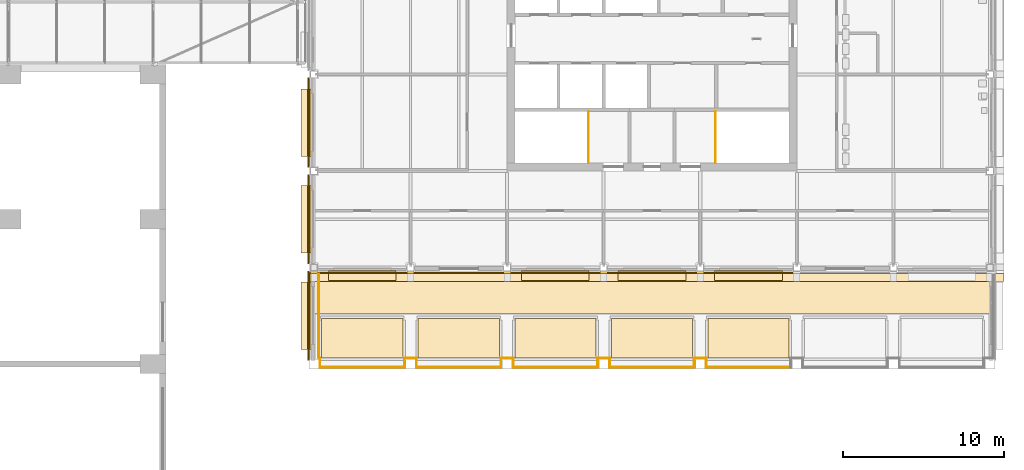
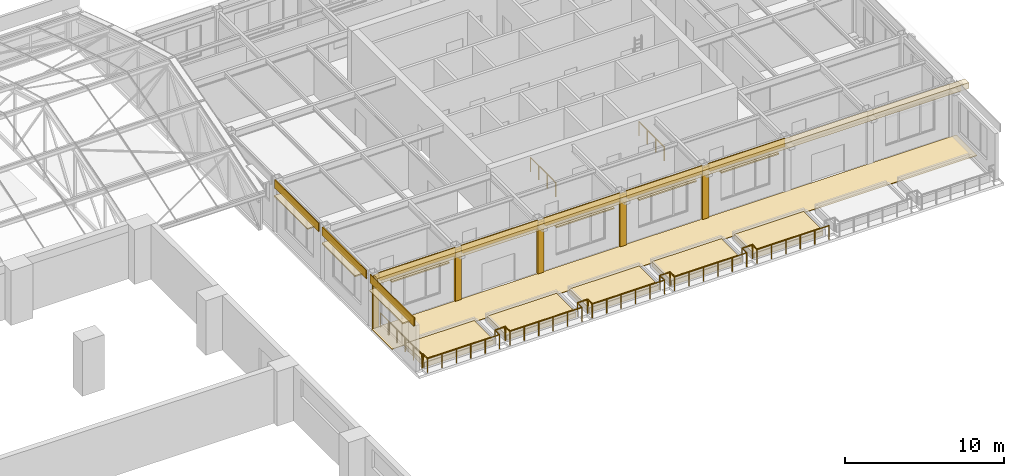
# One storey, part 79 of 82: 27 coverings, 21 railings.
"""IFC4 building model written with IfcOpenShell, lengths in metres."""

from ifc_helpers import new_model, si_unit, direction, frame, origin, origin_2d, place, context, subcontext, project, spatial, polyline, circle, outline, extrude, material, layer, layer_set, type_object, element, save


model = new_model("IFC4")

# Units and contexts
model_context = context("Model", 3, precision=1e-05, world=origin(), true_north=direction((0.0, 1.0)))
body_context = subcontext(model_context, "Body", "Model", "MODEL_VIEW")
ifc_project = project(units=[si_unit("LENGTHUNIT", "METRE"), si_unit("AREAUNIT", "SQUARE_METRE"), si_unit("VOLUMEUNIT", "CUBIC_METRE"), si_unit("PLANEANGLEUNIT", "RADIAN"), si_unit("MASSUNIT", "GRAM", prefix="KILO")], contexts=[model_context])

# Site, building, storey
site_placement = place(None, origin())
site = spatial("IfcSite", under=ifc_project, at=site_placement, CompositionType="ELEMENT")
building_placement = place(site_placement, origin())
building = spatial("IfcBuilding", under=site, at=building_placement, Name="Aravalli Gate Trade Fair Centre", CompositionType="ELEMENT")
storey_placement = place(building_placement, frame((0.0, 0.0, 19.199951171875)))
storey = spatial("IfcBuildingStorey", under=building, at=storey_placement, Name="L04", CompositionType="ELEMENT", Elevation=19.199951171875)

# Coverings
ifc_material_1 = material(Name="Terracotta", Category="masonry")
ifc_layer_1 = layer(ifc_material_1, 0.10009765625)
ifc_layer_set_1 = layer_set([ifc_layer_1], Name="Terracotta")
covering_type_1 = type_object("IfcCoveringType", Name="Wing chhajja hood 100", PredefinedType="MOLDING", material=ifc_layer_set_1)
covering_1_placement = place(storey_placement, frame((0.0, 0.0, 3.449951171875)))
element("IfcCovering", 1, at=covering_1_placement, inside=storey, type_object=covering_type_1, Name="Chhajja hood S0 L04", PredefinedType="MOLDING", context=body_context, shape_type="SweptSolid", body=[
    extrude(outline(polyline([(160.89990234375, 96.199951171875), (165.10009765625, 96.199951171875), (165.10009765625, 96.800048828125), (160.89990234375, 96.800048828125), (160.89990234375, 96.199951171875)])), origin(), (0.0, 0.0, 1.0), 0.10009765625),
])
covering_2_placement = place(storey_placement, frame((0.0, 0.0, 3.449951171875)))
element("IfcCovering", 2, at=covering_2_placement, inside=storey, type_object=covering_type_1, Name="Chhajja hood S2 L04", PredefinedType="MOLDING", context=body_context, shape_type="SweptSolid", body=[
    extrude(outline(polyline([(172.89990234375, 96.199951171875), (177.10009765625, 96.199951171875), (177.10009765625, 96.800048828125), (172.89990234375, 96.800048828125), (172.89990234375, 96.199951171875)])), origin(), (0.0, 0.0, 1.0), 0.10009765625),
])
covering_3_placement = place(storey_placement, frame((0.0, 0.0, 3.449951171875)))
element("IfcCovering", 3, at=covering_3_placement, inside=storey, type_object=covering_type_1, Name="Chhajja hood S3 L04", PredefinedType="MOLDING", context=body_context, shape_type="SweptSolid", body=[
    extrude(outline(polyline([(178.89990234375, 96.199951171875), (183.10009765625, 96.199951171875), (183.10009765625, 96.800048828125), (178.89990234375, 96.800048828125), (178.89990234375, 96.199951171875)])), origin(), (0.0, 0.0, 1.0), 0.10009765625),
])
covering_4_placement = place(storey_placement, frame((0.0, 0.0, 3.449951171875)))
element("IfcCovering", 4, at=covering_4_placement, inside=storey, type_object=covering_type_1, Name="Chhajja hood S4 L04", PredefinedType="MOLDING", context=body_context, shape_type="SweptSolid", body=[
    extrude(outline(polyline([(184.89990234375, 96.199951171875), (189.10009765625, 96.199951171875), (189.10009765625, 96.800048828125), (184.89990234375, 96.800048828125), (184.89990234375, 96.199951171875)])), origin(), (0.0, 0.0, 1.0), 0.10009765625),
])
covering_5_placement = place(storey_placement, frame((0.0, 0.0, 3.449951171875)))
element("IfcCovering", 5, at=covering_5_placement, inside=storey, type_object=covering_type_1, Name="Chhajja hood W0 L04", PredefinedType="MOLDING", context=body_context, shape_type="SweptSolid", body=[
    extrude(outline(polyline([(159.199951171875, 91.89990234375), (159.800048828125, 91.89990234375), (159.800048828125, 96.10009765625), (159.199951171875, 96.10009765625), (159.199951171875, 91.89990234375)])), origin(), (0.0, 0.0, 1.0), 0.10009765625),
])
covering_6_placement = place(storey_placement, frame((0.0, 0.0, 3.449951171875)))
element("IfcCovering", 6, at=covering_6_placement, inside=storey, type_object=covering_type_1, Name="Chhajja hood W1 L04", PredefinedType="MOLDING", context=body_context, shape_type="SweptSolid", body=[
    extrude(outline(polyline([(159.199951171875, 97.89990234375), (159.800048828125, 97.89990234375), (159.800048828125, 102.10009765625), (159.199951171875, 102.10009765625), (159.199951171875, 97.89990234375)])), origin(), (0.0, 0.0, 1.0), 0.10009765625),
])
covering_7_placement = place(storey_placement, frame((0.0, 0.0, 3.449951171875)))
element("IfcCovering", 7, at=covering_7_placement, inside=storey, type_object=covering_type_1, Name="Chhajja hood W2 L04", PredefinedType="MOLDING", context=body_context, shape_type="SweptSolid", body=[
    extrude(outline(polyline([(159.199951171875, 103.89990234375), (159.800048828125, 103.89990234375), (159.800048828125, 108.10009765625), (159.199951171875, 108.10009765625), (159.199951171875, 103.89990234375)])), origin(), (0.0, 0.0, 1.0), 0.10009765625),
])
ifc_material_2 = material(Name="Enamelled terracotta", Category="masonry")
ifc_layer_2 = layer(ifc_material_2, 0.39990234375)
ifc_layer_set_2 = layer_set([ifc_layer_2], Name="Enamelled terracotta")
covering_type_2 = type_object("IfcCoveringType", Name="Wing cornice course A", PredefinedType="MOLDING", material=ifc_layer_set_2)
covering_8_placement = place(storey_placement, frame((0.0, 0.0, 3.75)))
element("IfcCovering", 8, at=covering_8_placement, inside=storey, type_object=covering_type_2, Name="Cornice course A S", PredefinedType="MOLDING", context=body_context, shape_type="SweptSolid", body=[
    extrude(outline(polyline([(159.800048828125, 96.125), (202.875, 96.125), (202.875, 96.625), (159.800048828125, 96.625), (159.800048828125, 96.125)])), origin(), (0.0, 0.0, 1.0), 0.449951171875),
])
ifc_material_3 = material(Name="Bituminous waterproofing membrane")
ifc_layer_3 = layer(ifc_material_3, 0.010009765625, Name="Waterproofing membrane")
ifc_material_4 = material(Name="Polyethylene drainage board")
ifc_layer_4 = layer(ifc_material_4, 0.050048828125, Name="Drainage layer")
ifc_material_5 = material(Name="Geotextile fleece")
ifc_layer_5 = layer(ifc_material_5, 0.0048828125, Name="Filter layer")
ifc_material_6 = material(Name="Growing medium")
ifc_layer_6 = layer(ifc_material_6, 0.300048828125, Name="Growing medium")
ifc_layer_set_3 = layer_set([ifc_layer_3, ifc_layer_4, ifc_layer_5, ifc_layer_6], Name="Wing green roof build-up 365")
covering_type_3 = type_object("IfcCoveringType", Name="Wing green roof build-up 365", PredefinedType="ROOFING", material=ifc_layer_set_3)
covering_9_placement = place(storey_placement, origin())
element("IfcCovering", 9, at=covering_9_placement, inside=storey, type_object=covering_type_3, Name="Roof garden bed L04 1", PredefinedType="ROOFING", context=body_context, shape_type="SweptSolid", body=[
    extrude(outline(polyline([(160.47509765625, 91.3701171875), (165.52490234375, 91.3701171875), (165.52490234375, 93.820068359375), (160.47509765625, 93.820068359375), (160.47509765625, 91.3701171875)])), origin(), (0.0, 0.0, 1.0), 0.364990234375),
])
covering_10_placement = place(storey_placement, origin())
element("IfcCovering", 10, at=covering_10_placement, inside=storey, type_object=covering_type_3, Name="Roof garden bed L04 2", PredefinedType="ROOFING", context=body_context, shape_type="SweptSolid", body=[
    extrude(outline(polyline([(166.47509765625, 91.3701171875), (171.52490234375, 91.3701171875), (171.52490234375, 93.820068359375), (166.47509765625, 93.820068359375), (166.47509765625, 91.3701171875)])), origin(), (0.0, 0.0, 1.0), 0.364990234375),
])
covering_11_placement = place(storey_placement, origin())
element("IfcCovering", 11, at=covering_11_placement, inside=storey, type_object=covering_type_3, Name="Roof garden bed L04 3", PredefinedType="ROOFING", context=body_context, shape_type="SweptSolid", body=[
    extrude(outline(polyline([(172.47509765625, 91.3701171875), (177.52490234375, 91.3701171875), (177.52490234375, 93.820068359375), (172.47509765625, 93.820068359375), (172.47509765625, 91.3701171875)])), origin(), (0.0, 0.0, 1.0), 0.364990234375),
])
covering_12_placement = place(storey_placement, origin())
element("IfcCovering", 12, at=covering_12_placement, inside=storey, type_object=covering_type_3, Name="Roof garden bed L04 4", PredefinedType="ROOFING", context=body_context, shape_type="SweptSolid", body=[
    extrude(outline(polyline([(178.47509765625, 91.3701171875), (183.52490234375, 91.3701171875), (183.52490234375, 93.820068359375), (178.47509765625, 93.820068359375), (178.47509765625, 91.3701171875)])), origin(), (0.0, 0.0, 1.0), 0.364990234375),
])
covering_13_placement = place(storey_placement, origin())
element("IfcCovering", 13, at=covering_13_placement, inside=storey, type_object=covering_type_3, Name="Roof garden bed L04 5", PredefinedType="ROOFING", context=body_context, shape_type="SweptSolid", body=[
    extrude(outline(polyline([(184.47509765625, 91.3701171875), (189.52490234375, 91.3701171875), (189.52490234375, 93.820068359375), (184.47509765625, 93.820068359375), (184.47509765625, 91.3701171875)])), origin(), (0.0, 0.0, 1.0), 0.364990234375),
])
ifc_material_7 = material(Name="Terracotta lattice", Category="masonry")
ifc_layer_7 = layer(ifc_material_7, 0.070068359375)
ifc_layer_set_4 = layer_set([ifc_layer_7], Name="Terracotta lattice")
covering_type_4 = type_object("IfcCoveringType", Name="Wing jali spandrel panel 70", PredefinedType="CLADDING", material=ifc_layer_set_4)
covering_14_placement = place(storey_placement, frame((0.0, 0.0, 3.550048828125)))
element("IfcCovering", 14, at=covering_14_placement, inside=storey, type_object=covering_type_4, Name="Jali spandrel panel S0 L04", PredefinedType="CLADDING", context=body_context, shape_type="SweptSolid", body=[
    extrude(outline(polyline([(160.22509765625, 96.625), (165.77490234375, 96.625), (165.77490234375, 96.695068359375), (160.22509765625, 96.695068359375), (160.22509765625, 96.625)])), origin(), (0.0, 0.0, 1.0), 0.64990234375),
])
covering_15_placement = place(storey_placement, frame((0.0, 0.0, 3.550048828125)))
element("IfcCovering", 15, at=covering_15_placement, inside=storey, type_object=covering_type_4, Name="Jali spandrel panel S1 L04", PredefinedType="CLADDING", context=body_context, shape_type="SweptSolid", body=[
    extrude(outline(polyline([(166.22509765625, 96.625), (171.77490234375, 96.625), (171.77490234375, 96.695068359375), (166.22509765625, 96.695068359375), (166.22509765625, 96.625)])), origin(), (0.0, 0.0, 1.0), 0.64990234375),
])
covering_16_placement = place(storey_placement, frame((0.0, 0.0, 3.550048828125)))
element("IfcCovering", 16, at=covering_16_placement, inside=storey, type_object=covering_type_4, Name="Jali spandrel panel S2 L04", PredefinedType="CLADDING", context=body_context, shape_type="SweptSolid", body=[
    extrude(outline(polyline([(172.22509765625, 96.625), (177.77490234375, 96.625), (177.77490234375, 96.695068359375), (172.22509765625, 96.695068359375), (172.22509765625, 96.625)])), origin(), (0.0, 0.0, 1.0), 0.64990234375),
])
covering_17_placement = place(storey_placement, frame((0.0, 0.0, 3.550048828125)))
element("IfcCovering", 17, at=covering_17_placement, inside=storey, type_object=covering_type_4, Name="Jali spandrel panel S3 L04", PredefinedType="CLADDING", context=body_context, shape_type="SweptSolid", body=[
    extrude(outline(polyline([(178.22509765625, 96.625), (183.77490234375, 96.625), (183.77490234375, 96.695068359375), (178.22509765625, 96.695068359375), (178.22509765625, 96.625)])), origin(), (0.0, 0.0, 1.0), 0.64990234375),
])
covering_18_placement = place(storey_placement, frame((0.0, 0.0, 3.550048828125)))
element("IfcCovering", 18, at=covering_18_placement, inside=storey, type_object=covering_type_4, Name="Jali spandrel panel S4 L04", PredefinedType="CLADDING", context=body_context, shape_type="SweptSolid", body=[
    extrude(outline(polyline([(184.22509765625, 96.625), (189.77490234375, 96.625), (189.77490234375, 96.695068359375), (184.22509765625, 96.695068359375), (184.22509765625, 96.625)])), origin(), (0.0, 0.0, 1.0), 0.64990234375),
])
ifc_material_8 = material(Name="Glazed terracotta", Category="masonry")
ifc_layer_8 = layer(ifc_material_8, 0.14990234375)
ifc_layer_set_5 = layer_set([ifc_layer_8], Name="Glazed terracotta")
covering_type_5 = type_object("IfcCoveringType", Name="Wing pier casing 150", PredefinedType="CLADDING", material=ifc_layer_set_5)
covering_19_placement = place(storey_placement, origin())
element("IfcCovering", 19, at=covering_19_placement, inside=storey, type_object=covering_type_5, Name="Pier casing 18T1 S L04", PredefinedType="CLADDING", context=body_context, shape_type="SweptSolid", body=[
    extrude(outline(polyline([(159.77490234375, 96.625), (160.22509765625, 96.625), (160.22509765625, 96.77490234375), (159.77490234375, 96.77490234375), (159.77490234375, 96.625)])), origin(), (0.0, 0.0, 1.0), 4.0),
])
covering_20_placement = place(storey_placement, origin())
element("IfcCovering", 20, at=covering_20_placement, inside=storey, type_object=covering_type_5, Name="Pier casing 19T1 S L04", PredefinedType="CLADDING", context=body_context, shape_type="SweptSolid", body=[
    extrude(outline(polyline([(165.77490234375, 96.625), (166.22509765625, 96.625), (166.22509765625, 96.77490234375), (165.77490234375, 96.77490234375), (165.77490234375, 96.625)])), origin(), (0.0, 0.0, 1.0), 4.0),
])
covering_21_placement = place(storey_placement, origin())
element("IfcCovering", 21, at=covering_21_placement, inside=storey, type_object=covering_type_5, Name="Pier casing 20T1 S L04", PredefinedType="CLADDING", context=body_context, shape_type="SweptSolid", body=[
    extrude(outline(polyline([(171.77490234375, 96.625), (172.22509765625, 96.625), (172.22509765625, 96.77490234375), (171.77490234375, 96.77490234375), (171.77490234375, 96.625)])), origin(), (0.0, 0.0, 1.0), 4.0),
])
covering_22_placement = place(storey_placement, origin())
element("IfcCovering", 22, at=covering_22_placement, inside=storey, type_object=covering_type_5, Name="Pier casing 21T1 S L04", PredefinedType="CLADDING", context=body_context, shape_type="SweptSolid", body=[
    extrude(outline(polyline([(177.77490234375, 96.625), (178.22509765625, 96.625), (178.22509765625, 96.77490234375), (177.77490234375, 96.77490234375), (177.77490234375, 96.625)])), origin(), (0.0, 0.0, 1.0), 4.0),
])
covering_23_placement = place(storey_placement, origin())
element("IfcCovering", 23, at=covering_23_placement, inside=storey, type_object=covering_type_5, Name="Pier casing 22T1 S L04", PredefinedType="CLADDING", context=body_context, shape_type="SweptSolid", body=[
    extrude(outline(polyline([(183.77490234375, 96.625), (184.22509765625, 96.625), (184.22509765625, 96.77490234375), (183.77490234375, 96.77490234375), (183.77490234375, 96.625)])), origin(), (0.0, 0.0, 1.0), 4.0),
])
ifc_layer_9 = layer(ifc_material_8, 0.070068359375)
ifc_layer_set_6 = layer_set([ifc_layer_9], Name="Glazed terracotta")
covering_type_6 = type_object("IfcCoveringType", Name="Wing spandrel band 70", PredefinedType="CLADDING", material=ifc_layer_set_6)
covering_24_placement = place(storey_placement, frame((0.0, 0.0, 3.550048828125)))
element("IfcCovering", 24, at=covering_24_placement, inside=storey, type_object=covering_type_6, Name="Spandrel band W0 L04", PredefinedType="CLADDING", context=body_context, shape_type="SweptSolid", body=[
    extrude(outline(polyline([(159.625, 91.22509765625), (159.695068359375, 91.22509765625), (159.695068359375, 96.77490234375), (159.625, 96.77490234375), (159.625, 91.22509765625)])), origin(), (0.0, 0.0, 1.0), 0.64990234375),
])
covering_25_placement = place(storey_placement, frame((0.0, 0.0, 3.550048828125)))
element("IfcCovering", 25, at=covering_25_placement, inside=storey, type_object=covering_type_6, Name="Spandrel band W1 L04", PredefinedType="CLADDING", context=body_context, shape_type="SweptSolid", body=[
    extrude(outline(polyline([(159.625, 97.22509765625), (159.695068359375, 97.22509765625), (159.695068359375, 102.77490234375), (159.625, 102.77490234375), (159.625, 97.22509765625)])), origin(), (0.0, 0.0, 1.0), 0.64990234375),
])
covering_26_placement = place(storey_placement, frame((0.0, 0.0, 3.550048828125)))
element("IfcCovering", 26, at=covering_26_placement, inside=storey, type_object=covering_type_6, Name="Spandrel band W2 L04", PredefinedType="CLADDING", context=body_context, shape_type="SweptSolid", body=[
    extrude(outline(polyline([(159.625, 103.22509765625), (159.695068359375, 103.22509765625), (159.695068359375, 108.77490234375), (159.625, 108.77490234375), (159.625, 103.22509765625)])), origin(), (0.0, 0.0, 1.0), 0.64990234375),
])

# Railings
ifc_material_9 = material(Name="Steel E350", Category="steel")
railing_type_1 = type_object("IfcRailingType", Name="Wing stair roof guard", PredefinedType="GUARDRAIL", material=ifc_material_9)
for number, where, name in (
    (27, (177.050048828125, 103.5, 0.0), "Guard S2 landing L04"),
    (28, (184.949951171875, 103.5, 0.0), "Guard S1 landing L04"),
):
    element("IfcRailing", number, at=place(storey_placement, frame(where)), inside=storey, type_object=railing_type_1, Name=name, PredefinedType="GUARDRAIL", context=body_context, shape_type="SweptSolid", body=[
        extrude(circle(Radius=0.02392578125, at=origin_2d()), frame((0.0, 0.0, 1.076171875), z_axis=(0.0, 1.0, 0.0), x_axis=(-1.0, 0.0, 0.0)), (0.0, 0.0, 1.0), 3.199951171875),
        extrude(circle(Radius=0.02099609375, at=origin_2d()), origin(), (0.0, 0.0, 1.0), 1.052001953125),
        extrude(circle(Radius=0.02099609375, at=origin_2d()), frame((0.0, 1.066650390625, 0.0)), (0.0, 0.0, 1.0), 1.052001953125),
        extrude(circle(Radius=0.02099609375, at=origin_2d()), frame((0.0, 2.13330078125, 0.0)), (0.0, 0.0, 1.0), 1.052001953125),
        extrude(circle(Radius=0.02099609375, at=origin_2d()), frame((0.0, 3.199951171875, 0.0)), (0.0, 0.0, 1.0), 1.052001953125),
    ])
railing_type_2 = type_object("IfcRailingType", Name="Wing terrace guard", PredefinedType="GUARDRAIL", material=ifc_material_9)
railing_1_placement = place(storey_placement, frame((189.625, 90.794921875, 0.0)))
element("IfcRailing", 29, at=railing_1_placement, inside=storey, type_object=railing_type_2, Name="Terrace guard L04 12", PredefinedType="GUARDRAIL", context=body_context, shape_type="SweptSolid", body=[
    extrude(circle(Radius=0.02392578125, at=origin_2d()), frame((0.0, 0.0, 1.076171875), z_axis=(-1.0, 0.0, 0.0), x_axis=(0.0, -1.0, 0.0)), (0.0, 0.0, 1.0), 5.25),
    extrude(circle(Radius=0.02099609375, at=origin_2d()), origin(), (0.0, 0.0, 1.0), 1.052001953125),
    extrude(circle(Radius=0.02099609375, at=origin_2d()), frame((-1.050048828125, 0.0, 0.0)), (0.0, 0.0, 1.0), 1.052001953125),
    extrude(circle(Radius=0.02099609375, at=origin_2d()), frame((-2.10009765625, 0.0, 0.0)), (0.0, 0.0, 1.0), 1.052001953125),
    extrude(circle(Radius=0.02099609375, at=origin_2d()), frame((-3.14990234375, 0.0, 0.0)), (0.0, 0.0, 1.0), 1.052001953125),
    extrude(circle(Radius=0.02099609375, at=origin_2d()), frame((-4.199951171875, 0.0, 0.0)), (0.0, 0.0, 1.0), 1.052001953125),
    extrude(circle(Radius=0.02099609375, at=origin_2d()), frame((-5.25, 0.0, 0.0)), (0.0, 0.0, 1.0), 1.052001953125),
])
railing_2_placement = place(storey_placement, frame((184.375, 90.794921875, 0.0)))
element("IfcRailing", 30, at=railing_2_placement, inside=storey, type_object=railing_type_2, Name="Terrace guard L04 13", PredefinedType="GUARDRAIL", context=body_context, shape_type="SweptSolid", body=[
    extrude(circle(Radius=0.02392578125, at=origin_2d()), frame((0.0, 0.0, 1.076171875), z_axis=(0.0, 1.0, 0.0), x_axis=(-1.0, 0.0, 0.0)), (0.0, 0.0, 1.0), 0.580078125),
    extrude(circle(Radius=0.02099609375, at=origin_2d()), origin(), (0.0, 0.0, 1.0), 1.052001953125),
    extrude(circle(Radius=0.02099609375, at=origin_2d()), frame((0.0, 0.580078125, 0.0)), (0.0, 0.0, 1.0), 1.052001953125),
])
railing_3_placement = place(storey_placement, frame((184.375, 91.375, 0.0)))
element("IfcRailing", 31, at=railing_3_placement, inside=storey, type_object=railing_type_2, Name="Terrace guard L04 14", PredefinedType="GUARDRAIL", context=body_context, shape_type="SweptSolid", body=[
    extrude(circle(Radius=0.02392578125, at=origin_2d()), frame((0.0, 0.0, 1.076171875), z_axis=(-1.0, 0.0, 0.0), x_axis=(0.0, -1.0, 0.0)), (0.0, 0.0, 1.0), 0.75),
    extrude(circle(Radius=0.02099609375, at=origin_2d()), origin(), (0.0, 0.0, 1.0), 1.052001953125),
    extrude(circle(Radius=0.02099609375, at=origin_2d()), frame((-0.75, 0.0, 0.0)), (0.0, 0.0, 1.0), 1.052001953125),
])
railing_4_placement = place(storey_placement, frame((183.625, 91.375, 0.0)))
element("IfcRailing", 32, at=railing_4_placement, inside=storey, type_object=railing_type_2, Name="Terrace guard L04 15", PredefinedType="GUARDRAIL", context=body_context, shape_type="SweptSolid", body=[
    extrude(circle(Radius=0.02392578125, at=origin_2d()), frame((0.0, 0.0, 1.076171875), z_axis=(0.0, -1.0, 0.0), x_axis=(1.0, 0.0, 0.0)), (0.0, 0.0, 1.0), 0.580078125),
    extrude(circle(Radius=0.02099609375, at=origin_2d()), origin(), (0.0, 0.0, 1.0), 1.052001953125),
    extrude(circle(Radius=0.02099609375, at=origin_2d()), frame((0.0, -0.580078125, 0.0)), (0.0, 0.0, 1.0), 1.052001953125),
])
railing_5_placement = place(storey_placement, frame((183.625, 90.794921875, 0.0)))
element("IfcRailing", 33, at=railing_5_placement, inside=storey, type_object=railing_type_2, Name="Terrace guard L04 16", PredefinedType="GUARDRAIL", context=body_context, shape_type="SweptSolid", body=[
    extrude(circle(Radius=0.02392578125, at=origin_2d()), frame((0.0, 0.0, 1.076171875), z_axis=(-1.0, 0.0, 0.0), x_axis=(0.0, -1.0, 0.0)), (0.0, 0.0, 1.0), 5.25),
    extrude(circle(Radius=0.02099609375, at=origin_2d()), origin(), (0.0, 0.0, 1.0), 1.052001953125),
    extrude(circle(Radius=0.02099609375, at=origin_2d()), frame((-1.050048828125, 0.0, 0.0)), (0.0, 0.0, 1.0), 1.052001953125),
    extrude(circle(Radius=0.02099609375, at=origin_2d()), frame((-2.10009765625, 0.0, 0.0)), (0.0, 0.0, 1.0), 1.052001953125),
    extrude(circle(Radius=0.02099609375, at=origin_2d()), frame((-3.14990234375, 0.0, 0.0)), (0.0, 0.0, 1.0), 1.052001953125),
    extrude(circle(Radius=0.02099609375, at=origin_2d()), frame((-4.199951171875, 0.0, 0.0)), (0.0, 0.0, 1.0), 1.052001953125),
    extrude(circle(Radius=0.02099609375, at=origin_2d()), frame((-5.25, 0.0, 0.0)), (0.0, 0.0, 1.0), 1.052001953125),
])
railing_6_placement = place(storey_placement, frame((178.375, 90.794921875, 0.0)))
element("IfcRailing", 34, at=railing_6_placement, inside=storey, type_object=railing_type_2, Name="Terrace guard L04 17", PredefinedType="GUARDRAIL", context=body_context, shape_type="SweptSolid", body=[
    extrude(circle(Radius=0.02392578125, at=origin_2d()), frame((0.0, 0.0, 1.076171875), z_axis=(0.0, 1.0, 0.0), x_axis=(-1.0, 0.0, 0.0)), (0.0, 0.0, 1.0), 0.580078125),
    extrude(circle(Radius=0.02099609375, at=origin_2d()), origin(), (0.0, 0.0, 1.0), 1.052001953125),
    extrude(circle(Radius=0.02099609375, at=origin_2d()), frame((0.0, 0.580078125, 0.0)), (0.0, 0.0, 1.0), 1.052001953125),
])
railing_7_placement = place(storey_placement, frame((178.375, 91.375, 0.0)))
element("IfcRailing", 35, at=railing_7_placement, inside=storey, type_object=railing_type_2, Name="Terrace guard L04 18", PredefinedType="GUARDRAIL", context=body_context, shape_type="SweptSolid", body=[
    extrude(circle(Radius=0.02392578125, at=origin_2d()), frame((0.0, 0.0, 1.076171875), z_axis=(-1.0, 0.0, 0.0), x_axis=(0.0, -1.0, 0.0)), (0.0, 0.0, 1.0), 0.75),
    extrude(circle(Radius=0.02099609375, at=origin_2d()), origin(), (0.0, 0.0, 1.0), 1.052001953125),
    extrude(circle(Radius=0.02099609375, at=origin_2d()), frame((-0.75, 0.0, 0.0)), (0.0, 0.0, 1.0), 1.052001953125),
])
railing_8_placement = place(storey_placement, frame((177.625, 91.375, 0.0)))
element("IfcRailing", 36, at=railing_8_placement, inside=storey, type_object=railing_type_2, Name="Terrace guard L04 19", PredefinedType="GUARDRAIL", context=body_context, shape_type="SweptSolid", body=[
    extrude(circle(Radius=0.02392578125, at=origin_2d()), frame((0.0, 0.0, 1.076171875), z_axis=(0.0, -1.0, 0.0), x_axis=(1.0, 0.0, 0.0)), (0.0, 0.0, 1.0), 0.580078125),
    extrude(circle(Radius=0.02099609375, at=origin_2d()), origin(), (0.0, 0.0, 1.0), 1.052001953125),
    extrude(circle(Radius=0.02099609375, at=origin_2d()), frame((0.0, -0.580078125, 0.0)), (0.0, 0.0, 1.0), 1.052001953125),
])
railing_9_placement = place(storey_placement, frame((177.625, 90.794921875, 0.0)))
element("IfcRailing", 37, at=railing_9_placement, inside=storey, type_object=railing_type_2, Name="Terrace guard L04 20", PredefinedType="GUARDRAIL", context=body_context, shape_type="SweptSolid", body=[
    extrude(circle(Radius=0.02392578125, at=origin_2d()), frame((0.0, 0.0, 1.076171875), z_axis=(-1.0, 0.0, 0.0), x_axis=(0.0, -1.0, 0.0)), (0.0, 0.0, 1.0), 5.25),
    extrude(circle(Radius=0.02099609375, at=origin_2d()), origin(), (0.0, 0.0, 1.0), 1.052001953125),
    extrude(circle(Radius=0.02099609375, at=origin_2d()), frame((-1.050048828125, 0.0, 0.0)), (0.0, 0.0, 1.0), 1.052001953125),
    extrude(circle(Radius=0.02099609375, at=origin_2d()), frame((-2.10009765625, 0.0, 0.0)), (0.0, 0.0, 1.0), 1.052001953125),
    extrude(circle(Radius=0.02099609375, at=origin_2d()), frame((-3.14990234375, 0.0, 0.0)), (0.0, 0.0, 1.0), 1.052001953125),
    extrude(circle(Radius=0.02099609375, at=origin_2d()), frame((-4.199951171875, 0.0, 0.0)), (0.0, 0.0, 1.0), 1.052001953125),
    extrude(circle(Radius=0.02099609375, at=origin_2d()), frame((-5.25, 0.0, 0.0)), (0.0, 0.0, 1.0), 1.052001953125),
])
railing_10_placement = place(storey_placement, frame((172.375, 90.794921875, 0.0)))
element("IfcRailing", 38, at=railing_10_placement, inside=storey, type_object=railing_type_2, Name="Terrace guard L04 21", PredefinedType="GUARDRAIL", context=body_context, shape_type="SweptSolid", body=[
    extrude(circle(Radius=0.02392578125, at=origin_2d()), frame((0.0, 0.0, 1.076171875), z_axis=(0.0, 1.0, 0.0), x_axis=(-1.0, 0.0, 0.0)), (0.0, 0.0, 1.0), 0.580078125),
    extrude(circle(Radius=0.02099609375, at=origin_2d()), origin(), (0.0, 0.0, 1.0), 1.052001953125),
    extrude(circle(Radius=0.02099609375, at=origin_2d()), frame((0.0, 0.580078125, 0.0)), (0.0, 0.0, 1.0), 1.052001953125),
])
railing_11_placement = place(storey_placement, frame((172.375, 91.375, 0.0)))
element("IfcRailing", 39, at=railing_11_placement, inside=storey, type_object=railing_type_2, Name="Terrace guard L04 22", PredefinedType="GUARDRAIL", context=body_context, shape_type="SweptSolid", body=[
    extrude(circle(Radius=0.02392578125, at=origin_2d()), frame((0.0, 0.0, 1.076171875), z_axis=(-1.0, 0.0, 0.0), x_axis=(0.0, -1.0, 0.0)), (0.0, 0.0, 1.0), 0.75),
    extrude(circle(Radius=0.02099609375, at=origin_2d()), origin(), (0.0, 0.0, 1.0), 1.052001953125),
    extrude(circle(Radius=0.02099609375, at=origin_2d()), frame((-0.75, 0.0, 0.0)), (0.0, 0.0, 1.0), 1.052001953125),
])
railing_12_placement = place(storey_placement, frame((171.625, 91.375, 0.0)))
element("IfcRailing", 40, at=railing_12_placement, inside=storey, type_object=railing_type_2, Name="Terrace guard L04 23", PredefinedType="GUARDRAIL", context=body_context, shape_type="SweptSolid", body=[
    extrude(circle(Radius=0.02392578125, at=origin_2d()), frame((0.0, 0.0, 1.076171875), z_axis=(0.0, -1.0, 0.0), x_axis=(1.0, 0.0, 0.0)), (0.0, 0.0, 1.0), 0.580078125),
    extrude(circle(Radius=0.02099609375, at=origin_2d()), origin(), (0.0, 0.0, 1.0), 1.052001953125),
    extrude(circle(Radius=0.02099609375, at=origin_2d()), frame((0.0, -0.580078125, 0.0)), (0.0, 0.0, 1.0), 1.052001953125),
])
railing_13_placement = place(storey_placement, frame((171.625, 90.794921875, 0.0)))
element("IfcRailing", 41, at=railing_13_placement, inside=storey, type_object=railing_type_2, Name="Terrace guard L04 24", PredefinedType="GUARDRAIL", context=body_context, shape_type="SweptSolid", body=[
    extrude(circle(Radius=0.02392578125, at=origin_2d()), frame((0.0, 0.0, 1.076171875), z_axis=(-1.0, 0.0, 0.0), x_axis=(0.0, -1.0, 0.0)), (0.0, 0.0, 1.0), 5.25),
    extrude(circle(Radius=0.02099609375, at=origin_2d()), origin(), (0.0, 0.0, 1.0), 1.052001953125),
    extrude(circle(Radius=0.02099609375, at=origin_2d()), frame((-1.050048828125, 0.0, 0.0)), (0.0, 0.0, 1.0), 1.052001953125),
    extrude(circle(Radius=0.02099609375, at=origin_2d()), frame((-2.10009765625, 0.0, 0.0)), (0.0, 0.0, 1.0), 1.052001953125),
    extrude(circle(Radius=0.02099609375, at=origin_2d()), frame((-3.14990234375, 0.0, 0.0)), (0.0, 0.0, 1.0), 1.052001953125),
    extrude(circle(Radius=0.02099609375, at=origin_2d()), frame((-4.199951171875, 0.0, 0.0)), (0.0, 0.0, 1.0), 1.052001953125),
    extrude(circle(Radius=0.02099609375, at=origin_2d()), frame((-5.25, 0.0, 0.0)), (0.0, 0.0, 1.0), 1.052001953125),
])
railing_14_placement = place(storey_placement, frame((166.375, 90.794921875, 0.0)))
element("IfcRailing", 42, at=railing_14_placement, inside=storey, type_object=railing_type_2, Name="Terrace guard L04 25", PredefinedType="GUARDRAIL", context=body_context, shape_type="SweptSolid", body=[
    extrude(circle(Radius=0.02392578125, at=origin_2d()), frame((0.0, 0.0, 1.076171875), z_axis=(0.0, 1.0, 0.0), x_axis=(-1.0, 0.0, 0.0)), (0.0, 0.0, 1.0), 0.580078125),
    extrude(circle(Radius=0.02099609375, at=origin_2d()), origin(), (0.0, 0.0, 1.0), 1.052001953125),
    extrude(circle(Radius=0.02099609375, at=origin_2d()), frame((0.0, 0.580078125, 0.0)), (0.0, 0.0, 1.0), 1.052001953125),
])
railing_15_placement = place(storey_placement, frame((166.375, 91.375, 0.0)))
element("IfcRailing", 43, at=railing_15_placement, inside=storey, type_object=railing_type_2, Name="Terrace guard L04 26", PredefinedType="GUARDRAIL", context=body_context, shape_type="SweptSolid", body=[
    extrude(circle(Radius=0.02392578125, at=origin_2d()), frame((0.0, 0.0, 1.076171875), z_axis=(-1.0, 0.0, 0.0), x_axis=(0.0, -1.0, 0.0)), (0.0, 0.0, 1.0), 0.75),
    extrude(circle(Radius=0.02099609375, at=origin_2d()), origin(), (0.0, 0.0, 1.0), 1.052001953125),
    extrude(circle(Radius=0.02099609375, at=origin_2d()), frame((-0.75, 0.0, 0.0)), (0.0, 0.0, 1.0), 1.052001953125),
])
railing_16_placement = place(storey_placement, frame((165.625, 91.375, 0.0)))
element("IfcRailing", 44, at=railing_16_placement, inside=storey, type_object=railing_type_2, Name="Terrace guard L04 27", PredefinedType="GUARDRAIL", context=body_context, shape_type="SweptSolid", body=[
    extrude(circle(Radius=0.02392578125, at=origin_2d()), frame((0.0, 0.0, 1.076171875), z_axis=(0.0, -1.0, 0.0), x_axis=(1.0, 0.0, 0.0)), (0.0, 0.0, 1.0), 0.580078125),
    extrude(circle(Radius=0.02099609375, at=origin_2d()), origin(), (0.0, 0.0, 1.0), 1.052001953125),
    extrude(circle(Radius=0.02099609375, at=origin_2d()), frame((0.0, -0.580078125, 0.0)), (0.0, 0.0, 1.0), 1.052001953125),
])
railing_17_placement = place(storey_placement, frame((165.625, 90.794921875, 0.0)))
element("IfcRailing", 45, at=railing_17_placement, inside=storey, type_object=railing_type_2, Name="Terrace guard L04 28", PredefinedType="GUARDRAIL", context=body_context, shape_type="SweptSolid", body=[
    extrude(circle(Radius=0.02392578125, at=origin_2d()), frame((0.0, 0.0, 1.076171875), z_axis=(-1.0, 0.0, 0.0), x_axis=(0.0, -1.0, 0.0)), (0.0, 0.0, 1.0), 5.25),
    extrude(circle(Radius=0.02099609375, at=origin_2d()), origin(), (0.0, 0.0, 1.0), 1.052001953125),
    extrude(circle(Radius=0.02099609375, at=origin_2d()), frame((-1.050048828125, 0.0, 0.0)), (0.0, 0.0, 1.0), 1.052001953125),
    extrude(circle(Radius=0.02099609375, at=origin_2d()), frame((-2.10009765625, 0.0, 0.0)), (0.0, 0.0, 1.0), 1.052001953125),
    extrude(circle(Radius=0.02099609375, at=origin_2d()), frame((-3.14990234375, 0.0, 0.0)), (0.0, 0.0, 1.0), 1.052001953125),
    extrude(circle(Radius=0.02099609375, at=origin_2d()), frame((-4.199951171875, 0.0, 0.0)), (0.0, 0.0, 1.0), 1.052001953125),
    extrude(circle(Radius=0.02099609375, at=origin_2d()), frame((-5.25, 0.0, 0.0)), (0.0, 0.0, 1.0), 1.052001953125),
])
railing_18_placement = place(storey_placement, frame((160.375, 90.794921875, 0.0)))
element("IfcRailing", 46, at=railing_18_placement, inside=storey, type_object=railing_type_2, Name="Terrace guard L04 29", PredefinedType="GUARDRAIL", context=body_context, shape_type="SweptSolid", body=[
    extrude(circle(Radius=0.02392578125, at=origin_2d()), frame((0.0, 0.0, 1.076171875), z_axis=(0.0, 1.0, 0.0), x_axis=(-1.0, 0.0, 0.0)), (0.0, 0.0, 1.0), 0.580078125),
    extrude(circle(Radius=0.02099609375, at=origin_2d()), origin(), (0.0, 0.0, 1.0), 1.052001953125),
    extrude(circle(Radius=0.02099609375, at=origin_2d()), frame((0.0, 0.580078125, 0.0)), (0.0, 0.0, 1.0), 1.052001953125),
])
railing_19_placement = place(storey_placement, frame((160.300048828125, 91.375, 0.0)))
element("IfcRailing", 47, at=railing_19_placement, inside=storey, type_object=railing_type_2, Name="Terrace guard L04 30", PredefinedType="GUARDRAIL", context=body_context, shape_type="SweptSolid", body=[
    extrude(circle(Radius=0.02392578125, at=origin_2d()), frame((0.0, 0.0, 1.076171875), z_axis=(0.0, 1.0, 0.0), x_axis=(-1.0, 0.0, 0.0)), (0.0, 0.0, 1.0), 5.219970703125),
    extrude(circle(Radius=0.02099609375, at=origin_2d()), origin(), (0.0, 0.0, 1.0), 1.052001953125),
    extrude(circle(Radius=0.02099609375, at=origin_2d()), frame((0.0, 1.0439453125, 0.0)), (0.0, 0.0, 1.0), 1.052001953125),
    extrude(circle(Radius=0.02099609375, at=origin_2d()), frame((0.0, 2.087890625, 0.0)), (0.0, 0.0, 1.0), 1.052001953125),
    extrude(circle(Radius=0.02099609375, at=origin_2d()), frame((0.0, 3.132080078125, 0.0)), (0.0, 0.0, 1.0), 1.052001953125),
    extrude(circle(Radius=0.02099609375, at=origin_2d()), frame((0.0, 4.176025390625, 0.0)), (0.0, 0.0, 1.0), 1.052001953125),
    extrude(circle(Radius=0.02099609375, at=origin_2d()), frame((0.0, 5.219970703125, 0.0)), (0.0, 0.0, 1.0), 1.052001953125),
])

# Covering
ifc_material_10 = material(Name="Dholpur sandstone", Category="masonry")
ifc_layer_10 = layer(ifc_material_10, 0.0400390625)
ifc_layer_set_7 = layer_set([ifc_layer_10], Name="Dholpur sandstone")
covering_type_7 = type_object("IfcCoveringType", Name="Wing terrace paving 40", PredefinedType="FLOORING", material=ifc_layer_set_7)
covering_27_placement = place(storey_placement, origin())
element("IfcCovering", 48, at=covering_27_placement, inside=storey, type_object=covering_type_7, Name="Roof garden paving L04", PredefinedType="FLOORING", context=body_context, shape_type="SweptSolid", body=[
    extrude(outline(polyline([(202.304931640625, 94.094970703125), (159.695068359375, 94.094970703125), (159.695068359375, 96.695068359375), (202.304931640625, 96.695068359375), (202.304931640625, 94.094970703125)])), origin(), (0.0, 0.0, 1.0), 0.0400390625),
])

save(model, "model.ifc")
